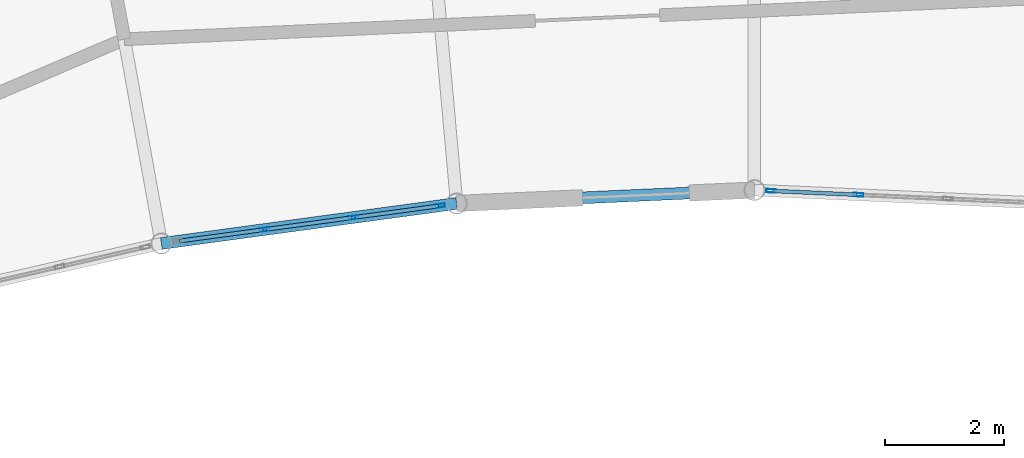
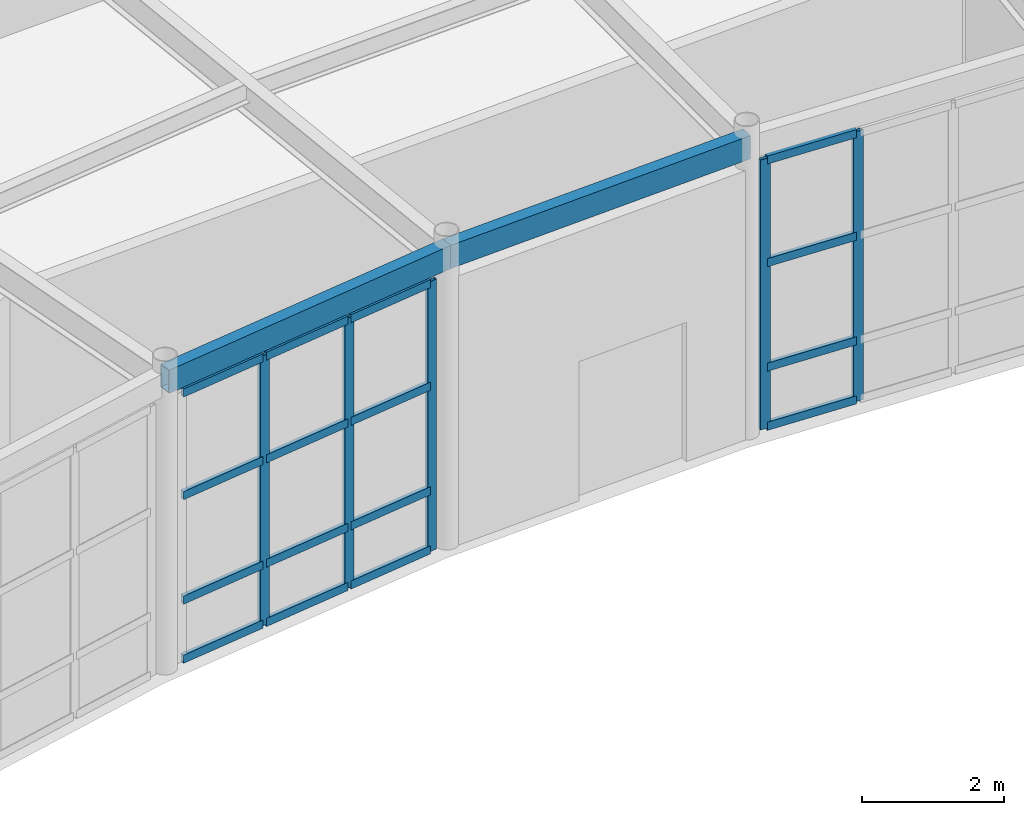
# One storey, part 47 of 87: 21 members, 2 beams, 2 elements without a shape of their own.
"""IFC4 building model written with IfcOpenShell, lengths in metres."""

import ifcopenshell
import ifcopenshell.guid

model = None  # the IFC model being written
_history = None  # IfcOwnerHistory: only IFC2X3 demands one
_inside = {}  # id of a spatial element -> (the spatial element, [elements in it])
_under = {}  # id of a project, library or spatial element -> (it, [spatial elements below it])
_declared = {}  # id of a project -> (the project, [libraries it declares])
_typed = {}  # id of a type object -> (the type object, [elements of that type])
_made_of = {}  # id of a material, layer set ... -> (it, [elements and type objects made of it])


def new_model(schema):
    """Start an empty IFC model of exactly this schema.

    Asked for "IFC4X3", IfcOpenShell would pick the latest addendum, in which some entities
    have other attributes; the version numbers below select the first issue.
    IFC2X3 requires an IfcOwnerHistory on every rooted entity: one is made here for all.
    """
    global model, _history
    if schema == "IFC4X3":
        model = ifcopenshell.file(schema_version=(4, 3, 0, 0))
    else:
        model = ifcopenshell.file(schema=schema)
    _inside.clear()
    _under.clear()
    _declared.clear()
    _typed.clear()
    _made_of.clear()
    _history = None
    if model.schema == "IFC2X3":
        org = make("IfcOrganization", Name="unknown")
        user = make(
            "IfcPersonAndOrganization",
            ThePerson=make("IfcPerson", FamilyName="unknown"),
            TheOrganization=org,
        )
        app = make(
            "IfcApplication",
            ApplicationDeveloper=org,
            Version="unknown",
            ApplicationFullName="unknown",
            ApplicationIdentifier="unknown",
        )
        _history = make(
            "IfcOwnerHistory",
            OwningUser=user,
            OwningApplication=app,
            ChangeAction="ADDED",
            CreationDate=0,
        )
    return model


def make(cls, **values):
    """One entity of the class cls with the attributes given. An attribute that is None is left unset."""
    return model.create_entity(
        cls, **{name: value for name, value in values.items() if value is not None}
    )


def rooted(cls, **values):
    """An entity with a GlobalId (a new one), such as an element, a storey or a relation."""
    return make(cls, GlobalId=ifcopenshell.guid.new(), OwnerHistory=_history, **values)


def si_unit(unit_type, name, prefix=None):
    """IfcSIUnit, for example si_unit("LENGTHUNIT", "METRE", prefix="MILLI")."""
    return make("IfcSIUnit", UnitType=unit_type, Prefix=prefix, Name=name)


def assignment(units):
    """IfcUnitAssignment: the units of a project."""
    return None if units is None else make("IfcUnitAssignment", Units=units)


def point(xyz):
    """IfcCartesianPoint."""
    return None if xyz is None else make("IfcCartesianPoint", Coordinates=xyz)


def direction(xyz):
    """IfcDirection."""
    return None if xyz is None else make("IfcDirection", DirectionRatios=xyz)


def frame(location, z_axis=None, x_axis=None):
    """IfcAxis2Placement3D, a coordinate frame: its origin and axes. An axis left out is left unset."""
    return make(
        "IfcAxis2Placement3D",
        Location=point(location),
        Axis=direction(z_axis),
        RefDirection=direction(x_axis),
    )


def frame_2d(location, x_axis=None):
    """IfcAxis2Placement2D, a coordinate frame in the plane: its origin and x axis."""
    return make(
        "IfcAxis2Placement2D", Location=point(location), RefDirection=direction(x_axis)
    )


def origin():
    """The frame at (0, 0, 0) with its axes left unset."""
    return frame((0.0, 0.0, 0.0))


def origin_2d():
    """The frame at (0, 0) in the plane with its x axis left unset."""
    return frame_2d((0.0, 0.0))


def place(relative_to, where):
    """IfcLocalPlacement: puts the frame where relative to a parent placement (None: the world)."""
    return make(
        "IfcLocalPlacement", PlacementRelTo=relative_to, RelativePlacement=where
    )


def context(
    kind, dimensions, precision=None, world=None, true_north=None, identifier=None
):
    """IfcGeometricRepresentationContext, for example the 3D "Model" context."""
    return make(
        "IfcGeometricRepresentationContext",
        ContextIdentifier=identifier,
        ContextType=kind,
        CoordinateSpaceDimension=dimensions,
        Precision=precision,
        WorldCoordinateSystem=world,
        TrueNorth=true_north,
    )


def subcontext(parent, identifier, kind, view, scale=None):
    """IfcGeometricRepresentationSubContext, for example "Body" below "Model"."""
    return make(
        "IfcGeometricRepresentationSubContext",
        ContextIdentifier=identifier,
        ContextType=kind,
        ParentContext=parent,
        TargetScale=scale,
        TargetView=view,
    )


def project(units=None, contexts=None):
    """IfcProject with its units and contexts."""
    return rooted(
        "IfcProject",
        Name="project",
        RepresentationContexts=contexts,
        UnitsInContext=assignment(units),
    )


def spatial(cls, under=None, at=None, **own):
    """A site, building, storey or space (cls), placed at a placement, below another one or the project."""
    s = rooted(cls, ObjectPlacement=at, **own)
    if under is not None:
        _under.setdefault(under.id(), (under, []))[1].append(s)
    return s


def profile(cls, at=None, kind="AREA", **sizes):
    """A parametric profile (cls). Its sizes go by their IFC names, for example OverallWidth=200.0."""
    return make(cls, ProfileType=kind, Position=at, **sizes)


def hollow_rectangle(**sizes):
    """IfcRectangleHollowProfileDef."""
    return profile("IfcRectangleHollowProfileDef", **sizes)


def extrude(swept, where, along, depth):
    """IfcExtrudedAreaSolid: the profile swept, set in the frame where, extruded along a direction by depth."""
    return make(
        "IfcExtrudedAreaSolid",
        SweptArea=swept,
        Position=where,
        ExtrudedDirection=direction(along),
        Depth=depth,
    )


def shape(context_of_items, identifier, shape_type, items):
    """IfcShapeRepresentation: the items that make up one representation, for example the "Body"."""
    return make(
        "IfcShapeRepresentation",
        ContextOfItems=context_of_items,
        RepresentationIdentifier=identifier,
        RepresentationType=shape_type,
        Items=items,
    )


def material(Name=None, Category=None):
    """IfcMaterial."""
    return make("IfcMaterial", Name=Name, Category=Category)


def layer(
    of_material, thickness, ventilated=None, Name=None, Category=None, Priority=None
):
    """IfcMaterialLayer: one layer of a wall or slab, of a material (None: an air gap)."""
    return make(
        "IfcMaterialLayer",
        Material=of_material,
        LayerThickness=thickness,
        IsVentilated=ventilated,
        Name=Name,
        Category=Category,
        Priority=Priority,
    )


def layer_set(layers, Name=None):
    """IfcMaterialLayerSet."""
    return make("IfcMaterialLayerSet", MaterialLayers=layers, LayerSetName=Name)


def material_profile(
    of_material, cross_section, Name=None, Category=None, Priority=None
):
    """IfcMaterialProfile: a cross section and its material."""
    return make(
        "IfcMaterialProfile",
        Name=Name,
        Material=of_material,
        Profile=cross_section,
        Priority=Priority,
        Category=Category,
    )


def profile_set(profiles, Name=None, composite=None):
    """IfcMaterialProfileSet."""
    return make(
        "IfcMaterialProfileSet",
        Name=Name,
        MaterialProfiles=profiles,
        CompositeProfile=composite,
    )


def made_of(thing, what):
    """Note that an element or type object is made of a material, layer set ...; save() writes the relation."""
    if what is not None:
        _made_of.setdefault(what.id(), (what, []))[1].append(thing)
    return thing


def type_object(cls, material=None, **own):
    """A type object (cls), such as IfcWallType, which elements share."""
    return made_of(rooted(cls, **own), material)


def element(
    cls,
    number,
    at=None,
    inside=None,
    cuts=None,
    type_object=None,
    material=None,
    context=None,
    identifier="Body",
    shape_type=None,
    held_by="IfcProductDefinitionShape",
    body=None,
    shapes=None,
    **own,
):
    """One element of the class cls, such as IfcWall. Its Tag is "e" and its number.

    at: its placement. inside: the storey or other place that contains it. cuts: it is an
    opening in that element (IfcRelVoidsElement). A single representation is given by context,
    identifier, shape_type and body (its items); several are given by shapes. held_by: the class
    of the entity that holds the representations. save() writes the other relations.
    """
    e = rooted(cls, Tag="e%d" % number, ObjectPlacement=at, **own)
    if body is not None:
        shapes = [shape(context, identifier, shape_type, body)]
    if shapes is not None:
        e.Representation = make(held_by, Representations=shapes)
    if inside is not None:
        _inside.setdefault(inside.id(), (inside, []))[1].append(e)
    if cuts is not None:
        rooted(
            "IfcRelVoidsElement", RelatingBuildingElement=cuts, RelatedOpeningElement=e
        )
    if type_object is not None:
        _typed.setdefault(type_object.id(), (type_object, []))[1].append(e)
    return made_of(e, material)


def aggregate(whole, parts):
    """IfcRelAggregates: a whole, such as a stair, and the parts it consists of."""
    return rooted("IfcRelAggregates", RelatingObject=whole, RelatedObjects=parts)


def save(model, path):
    """Write the relations noted so far, then the file.

    IfcRelAggregates (storeys below a building ...), IfcRelContainedInSpatialStructure (elements
    in a storey), IfcRelDefinesByType, IfcRelAssociatesMaterial and IfcRelDeclares: one each for
    every whole, place, type object, material and project.
    """
    for whole, parts in _under.values():
        aggregate(whole, parts)
    for where, things in _inside.values():
        rooted(
            "IfcRelContainedInSpatialStructure",
            RelatedElements=things,
            RelatingStructure=where,
        )
    for kind, things in _typed.values():
        rooted("IfcRelDefinesByType", RelatedObjects=things, RelatingType=kind)
    for what, things in _made_of.values():
        rooted("IfcRelAssociatesMaterial", RelatedObjects=things, RelatingMaterial=what)
    for by, libraries in _declared.values():
        rooted("IfcRelDeclares", RelatingContext=by, RelatedDefinitions=libraries)
    model.write(path)


model = new_model("IFC4")

# Units and contexts
model_context = context("Model", 3, precision=1e-05, world=origin(), true_north=direction((0.0, 1.0)))
body_context = subcontext(model_context, "Body", "Model", "MODEL_VIEW")
ifc_project = project(units=[si_unit("LENGTHUNIT", "METRE"), si_unit("AREAUNIT", "SQUARE_METRE"), si_unit("VOLUMEUNIT", "CUBIC_METRE"), si_unit("PLANEANGLEUNIT", "RADIAN"), si_unit("MASSUNIT", "GRAM", prefix="KILO")], contexts=[model_context])

# Site, building, storey
site_placement = place(None, origin())
site = spatial("IfcSite", under=ifc_project, at=site_placement, CompositionType="ELEMENT")
building_placement = place(site_placement, origin())
building = spatial("IfcBuilding", under=site, at=building_placement, Name="Selat Folded Stagehouse", CompositionType="ELEMENT")
storey_placement = place(building_placement, origin())
storey = spatial("IfcBuildingStorey", under=building, at=storey_placement, Name="L00", CompositionType="ELEMENT", Elevation=0.0)

# Curtain wall, members
ifc_material_1 = material(Name="Aluminium 6063-T6", Category="aluminium")
ifc_layer = layer(ifc_material_1, 0.18994140625)
ifc_layer_set = layer_set([ifc_layer], Name="Aluminium 6063-T6")
curtain_wall_type = type_object("IfcCurtainWallType", Name="CW-REH-ARC", PredefinedType="NOTDEFINED", material=ifc_layer_set)
curtain_wall_1_placement = place(storey_placement, origin())
curtain_wall_1 = element("IfcCurtainWall", 1, at=curtain_wall_1_placement, inside=storey, type_object=curtain_wall_type, Name="L00 curtain wall CW-REH-L00-05", PredefinedType="NOTDEFINED")
ifc_material_profile_1 = material_profile(ifc_material_1, hollow_rectangle(XDim=0.06005859375, YDim=0.159912109375, WallThickness=0.00390625, at=origin_2d()), Name="ALU 160x60x4.0")
ifc_profile_set_1 = profile_set([ifc_material_profile_1], Name="Aluminium 6063-T6")
member_type_1 = type_object("IfcMemberType", Name="CWM-MUL-160x60", PredefinedType="MULLION", material=ifc_profile_set_1)
member_1_placement = place(storey_placement, frame((87.102783203125, 93.737060546875, 0.0), z_axis=(0.0, 0.0, 1.0), x_axis=(0.134211766018, -0.990952673876, 0.0)))
member_1 = element("IfcMember", 2, at=member_1_placement, type_object=member_type_1, Name="CW-06 mullion 1", PredefinedType="MULLION", context=body_context, shape_type="SweptSolid", body=[
    extrude(hollow_rectangle(XDim=0.06005859375, YDim=0.159912109375, WallThickness=0.00390625, at=origin_2d()), origin(), (0.0, 0.0, 1.0), 4.64990234375),
])
member_2_placement = place(storey_placement, frame((85.637939453125, 93.53857421875, 0.0), z_axis=(0.0, 0.0, 1.0), x_axis=(0.134211766018, -0.990952673876, 0.0)))
member_2 = element("IfcMember", 3, at=member_2_placement, type_object=member_type_1, Name="CW-06 mullion 2", PredefinedType="MULLION", context=body_context, shape_type="SweptSolid", body=[
    extrude(hollow_rectangle(XDim=0.06005859375, YDim=0.159912109375, WallThickness=0.00390625, at=origin_2d()), origin(), (0.0, 0.0, 1.0), 4.64990234375),
])
member_3_placement = place(storey_placement, frame((84.14306640625, 93.336181640625, 0.0), z_axis=(0.0, 0.0, 1.0), x_axis=(0.134211766018, -0.990952673876, 0.0)))
member_3 = element("IfcMember", 4, at=member_3_placement, type_object=member_type_1, Name="CW-06 mullion 3", PredefinedType="MULLION", context=body_context, shape_type="SweptSolid", body=[
    extrude(hollow_rectangle(XDim=0.06005859375, YDim=0.159912109375, WallThickness=0.00390625, at=origin_2d()), origin(), (0.0, 0.0, 1.0), 4.64990234375),
])

curtain_wall_2_placement = place(storey_placement, origin())
curtain_wall_2 = element("IfcCurtainWall", 5, at=curtain_wall_2_placement, inside=storey, type_object=curtain_wall_type, Name="L00 curtain wall CW-REH-L00-07", PredefinedType="NOTDEFINED")
member_4_placement = place(storey_placement, frame((94.156494140625, 93.921142578125, 0.0), z_axis=(0.0, 0.0, 1.0), x_axis=(-0.044862316478, -0.998993179436, 0.0)))
member_4 = element("IfcMember", 6, at=member_4_placement, type_object=member_type_1, Name="CW-06 mullion 3", PredefinedType="MULLION", context=body_context, shape_type="SweptSolid", body=[
    extrude(hollow_rectangle(XDim=0.06005859375, YDim=0.159912109375, WallThickness=0.00390625, at=origin_2d()), origin(), (0.0, 0.0, 1.0), 4.64990234375),
])
member_5_placement = place(storey_placement, frame((92.6796875, 93.987548828125, 0.0), z_axis=(0.0, 0.0, 1.0), x_axis=(-0.044862316478, -0.998993179436, 0.0)))
member_5 = element("IfcMember", 7, at=member_5_placement, type_object=member_type_1, Name="CW-06 mullion 4", PredefinedType="MULLION", context=body_context, shape_type="SweptSolid", body=[
    extrude(hollow_rectangle(XDim=0.06005859375, YDim=0.159912109375, WallThickness=0.00390625, at=origin_2d()), origin(), (0.0, 0.0, 1.0), 4.64990234375),
])

# Member
ifc_material_profile_2 = material_profile(ifc_material_1, hollow_rectangle(XDim=0.06494140625, YDim=0.139892578125, WallThickness=0.00390625, at=origin_2d()), Name="ALU 140x65x4.0")
ifc_profile_set_2 = profile_set([ifc_material_profile_2], Name="Aluminium 6063-T6")
member_type_2 = type_object("IfcMemberType", Name="CWM-TRN-140x65", PredefinedType="USERDEFINED", material=ifc_profile_set_2)
member_6_placement = place(storey_placement, frame((87.072998046875, 93.73291015625, 0.032470703125), z_axis=(-0.990946066769, -0.134260540573, 0.0), x_axis=(0.134260540573, -0.990946066769, 0.0)))
member_6 = element("IfcMember", 8, at=member_6_placement, type_object=member_type_2, Name="CW-06 transom 1.1", ObjectType="TRANSOM", PredefinedType="USERDEFINED", context=body_context, shape_type="SweptSolid", body=[
    extrude(hollow_rectangle(XDim=0.06494140625, YDim=0.139892578125, WallThickness=0.00390625, at=origin_2d()), origin(), (0.0, 0.0, 1.0), 1.41845703125),
])

member_7_placement = place(storey_placement, frame((87.072998046875, 93.73291015625, 1.050048828125), z_axis=(-0.990946066769, -0.134260540573, 0.0), x_axis=(0.134260540573, -0.990946066769, 0.0)))
member_7 = element("IfcMember", 9, at=member_7_placement, type_object=member_type_2, Name="CW-06 transom 1.2", ObjectType="TRANSOM", PredefinedType="USERDEFINED", context=body_context, shape_type="SweptSolid", body=[
    extrude(hollow_rectangle(XDim=0.06494140625, YDim=0.139892578125, WallThickness=0.00390625, at=origin_2d()), origin(), (0.0, 0.0, 1.0), 1.41845703125),
])

member_8_placement = place(storey_placement, frame((87.072998046875, 93.73291015625, 2.85009765625), z_axis=(-0.990946066769, -0.134260540573, 0.0), x_axis=(0.134260540573, -0.990946066769, 0.0)))
member_8 = element("IfcMember", 10, at=member_8_placement, type_object=member_type_2, Name="CW-06 transom 1.3", ObjectType="TRANSOM", PredefinedType="USERDEFINED", context=body_context, shape_type="SweptSolid", body=[
    extrude(hollow_rectangle(XDim=0.06494140625, YDim=0.139892578125, WallThickness=0.00390625, at=origin_2d()), origin(), (0.0, 0.0, 1.0), 1.41845703125),
])

member_9_placement = place(storey_placement, frame((87.072998046875, 93.73291015625, 4.617431640625), z_axis=(-0.990946066769, -0.134260540573, 0.0), x_axis=(0.134260540573, -0.990946066769, 0.0)))
member_9 = element("IfcMember", 11, at=member_9_placement, type_object=member_type_2, Name="CW-06 transom 1.4", ObjectType="TRANSOM", PredefinedType="USERDEFINED", context=body_context, shape_type="SweptSolid", body=[
    extrude(hollow_rectangle(XDim=0.06494140625, YDim=0.139892578125, WallThickness=0.00390625, at=origin_2d()), origin(), (0.0, 0.0, 1.0), 1.41845703125),
])

member_10_placement = place(storey_placement, frame((85.608154296875, 93.534423828125, 0.032470703125), z_axis=(-0.990957936125, -0.134172906473, 0.0), x_axis=(0.134172906473, -0.990957936125, 0.0)))
member_10 = element("IfcMember", 12, at=member_10_placement, type_object=member_type_2, Name="CW-06 transom 2.1", ObjectType="TRANSOM", PredefinedType="USERDEFINED", context=body_context, shape_type="SweptSolid", body=[
    extrude(hollow_rectangle(XDim=0.06494140625, YDim=0.139892578125, WallThickness=0.00390625, at=origin_2d()), origin(), (0.0, 0.0, 1.0), 1.448486328125),
])

member_11_placement = place(storey_placement, frame((85.608154296875, 93.534423828125, 1.050048828125), z_axis=(-0.990957936125, -0.134172906473, 0.0), x_axis=(0.134172906473, -0.990957936125, 0.0)))
member_11 = element("IfcMember", 13, at=member_11_placement, type_object=member_type_2, Name="CW-06 transom 2.2", ObjectType="TRANSOM", PredefinedType="USERDEFINED", context=body_context, shape_type="SweptSolid", body=[
    extrude(hollow_rectangle(XDim=0.06494140625, YDim=0.139892578125, WallThickness=0.00390625, at=origin_2d()), origin(), (0.0, 0.0, 1.0), 1.448486328125),
])

member_12_placement = place(storey_placement, frame((85.608154296875, 93.534423828125, 2.85009765625), z_axis=(-0.990957936125, -0.134172906473, 0.0), x_axis=(0.134172906473, -0.990957936125, 0.0)))
member_12 = element("IfcMember", 14, at=member_12_placement, type_object=member_type_2, Name="CW-06 transom 2.3", ObjectType="TRANSOM", PredefinedType="USERDEFINED", context=body_context, shape_type="SweptSolid", body=[
    extrude(hollow_rectangle(XDim=0.06494140625, YDim=0.139892578125, WallThickness=0.00390625, at=origin_2d()), origin(), (0.0, 0.0, 1.0), 1.448486328125),
])

member_13_placement = place(storey_placement, frame((85.608154296875, 93.534423828125, 4.617431640625), z_axis=(-0.990957936125, -0.134172906473, 0.0), x_axis=(0.134172906473, -0.990957936125, 0.0)))
member_13 = element("IfcMember", 15, at=member_13_placement, type_object=member_type_2, Name="CW-06 transom 2.4", ObjectType="TRANSOM", PredefinedType="USERDEFINED", context=body_context, shape_type="SweptSolid", body=[
    extrude(hollow_rectangle(XDim=0.06494140625, YDim=0.139892578125, WallThickness=0.00390625, at=origin_2d()), origin(), (0.0, 0.0, 1.0), 1.448486328125),
])

member_14_placement = place(storey_placement, frame((84.113525390625, 93.33203125, 0.032470703125), z_axis=(-0.990968953763, -0.134091508595, 0.0), x_axis=(0.134091508595, -0.990968953763, 0.0)))
member_14 = element("IfcMember", 16, at=member_14_placement, type_object=member_type_2, Name="CW-06 transom 3.1", ObjectType="TRANSOM", PredefinedType="USERDEFINED", context=body_context, shape_type="SweptSolid", body=[
    extrude(hollow_rectangle(XDim=0.06494140625, YDim=0.139892578125, WallThickness=0.00390625, at=origin_2d()), origin(), (0.0, 0.0, 1.0), 1.418212890625),
])

member_15_placement = place(storey_placement, frame((84.113525390625, 93.33203125, 1.050048828125), z_axis=(-0.990968953763, -0.134091508595, 0.0), x_axis=(0.134091508595, -0.990968953763, 0.0)))
member_15 = element("IfcMember", 17, at=member_15_placement, type_object=member_type_2, Name="CW-06 transom 3.2", ObjectType="TRANSOM", PredefinedType="USERDEFINED", context=body_context, shape_type="SweptSolid", body=[
    extrude(hollow_rectangle(XDim=0.06494140625, YDim=0.139892578125, WallThickness=0.00390625, at=origin_2d()), origin(), (0.0, 0.0, 1.0), 1.418212890625),
])

member_16_placement = place(storey_placement, frame((84.113525390625, 93.33203125, 2.85009765625), z_axis=(-0.990968953763, -0.134091508595, 0.0), x_axis=(0.134091508595, -0.990968953763, 0.0)))
member_16 = element("IfcMember", 18, at=member_16_placement, type_object=member_type_2, Name="CW-06 transom 3.3", ObjectType="TRANSOM", PredefinedType="USERDEFINED", context=body_context, shape_type="SweptSolid", body=[
    extrude(hollow_rectangle(XDim=0.06494140625, YDim=0.139892578125, WallThickness=0.00390625, at=origin_2d()), origin(), (0.0, 0.0, 1.0), 1.418212890625),
])

member_17_placement = place(storey_placement, frame((84.113525390625, 93.33203125, 4.617431640625), z_axis=(-0.990968953763, -0.134091508595, 0.0), x_axis=(0.134091508595, -0.990968953763, 0.0)))
member_17 = element("IfcMember", 19, at=member_17_placement, type_object=member_type_2, Name="CW-06 transom 3.4", ObjectType="TRANSOM", PredefinedType="USERDEFINED", context=body_context, shape_type="SweptSolid", body=[
    extrude(hollow_rectangle(XDim=0.06494140625, YDim=0.139892578125, WallThickness=0.00390625, at=origin_2d()), origin(), (0.0, 0.0, 1.0), 1.418212890625),
])

aggregate(curtain_wall_1, [member_1, member_2, member_3, member_6, member_7, member_8, member_9, member_10, member_11, member_12, member_13, member_14, member_15, member_16, member_17])

member_18_placement = place(storey_placement, frame((94.12646484375, 93.92236328125, 0.032470703125), z_axis=(-0.998990078576, 0.044931313202, 0.0), x_axis=(-0.044931313202, -0.998990078576, 0.0)))
member_18 = element("IfcMember", 20, at=member_18_placement, type_object=member_type_2, Name="CW-06 transom 3.1", ObjectType="TRANSOM", PredefinedType="USERDEFINED", context=body_context, shape_type="SweptSolid", body=[
    extrude(hollow_rectangle(XDim=0.06494140625, YDim=0.139892578125, WallThickness=0.00390625, at=origin_2d()), origin(), (0.0, 0.0, 1.0), 1.418212890625),
])

member_19_placement = place(storey_placement, frame((94.12646484375, 93.92236328125, 1.050048828125), z_axis=(-0.998990078576, 0.044931313202, 0.0), x_axis=(-0.044931313202, -0.998990078576, 0.0)))
member_19 = element("IfcMember", 21, at=member_19_placement, type_object=member_type_2, Name="CW-06 transom 3.2", ObjectType="TRANSOM", PredefinedType="USERDEFINED", context=body_context, shape_type="SweptSolid", body=[
    extrude(hollow_rectangle(XDim=0.06494140625, YDim=0.139892578125, WallThickness=0.00390625, at=origin_2d()), origin(), (0.0, 0.0, 1.0), 1.418212890625),
])

member_20_placement = place(storey_placement, frame((94.12646484375, 93.92236328125, 2.85009765625), z_axis=(-0.998990078576, 0.044931313202, 0.0), x_axis=(-0.044931313202, -0.998990078576, 0.0)))
member_20 = element("IfcMember", 22, at=member_20_placement, type_object=member_type_2, Name="CW-06 transom 3.3", ObjectType="TRANSOM", PredefinedType="USERDEFINED", context=body_context, shape_type="SweptSolid", body=[
    extrude(hollow_rectangle(XDim=0.06494140625, YDim=0.139892578125, WallThickness=0.00390625, at=origin_2d()), origin(), (0.0, 0.0, 1.0), 1.418212890625),
])

member_21_placement = place(storey_placement, frame((94.12646484375, 93.92236328125, 4.617431640625), z_axis=(-0.998990078576, 0.044931313202, 0.0), x_axis=(-0.044931313202, -0.998990078576, 0.0)))
member_21 = element("IfcMember", 23, at=member_21_placement, type_object=member_type_2, Name="CW-06 transom 3.4", ObjectType="TRANSOM", PredefinedType="USERDEFINED", context=body_context, shape_type="SweptSolid", body=[
    extrude(hollow_rectangle(XDim=0.06494140625, YDim=0.139892578125, WallThickness=0.00390625, at=origin_2d()), origin(), (0.0, 0.0, 1.0), 1.418212890625),
])

aggregate(curtain_wall_2, [member_4, member_5, member_18, member_19, member_20, member_21])

# Beams
ifc_material_2 = material(Name="Steel S355", Category="steel")
ifc_material_profile_3 = material_profile(ifc_material_2, hollow_rectangle(XDim=0.199951171875, YDim=0.39990234375, WallThickness=0.012451171875, at=origin_2d()), Name="RHS 400x200x12.5")
ifc_profile_set_3 = profile_set([ifc_material_profile_3], Name="Steel S355")
beam_type = type_object("IfcBeamType", Name="SPD-EXT-400x200", PredefinedType="SPANDREL", material=ifc_profile_set_3)
beam_1_placement = place(storey_placement, frame((82.40087890625, 93.10009765625, 4.97998046875), z_axis=(0.9909477611, 0.134248034514, 0.0), x_axis=(-0.134248034514, 0.9909477611, 0.0)))
element("IfcBeam", 24, at=beam_1_placement, inside=storey, type_object=beam_type, Name="L00 inner curved rehearsal spandrel 6", PredefinedType="SPANDREL", context=body_context, shape_type="SweptSolid", body=[
    extrude(hollow_rectangle(XDim=0.199951171875, YDim=0.39990234375, WallThickness=0.012451171875, at=origin_2d()), origin(), (0.0, 0.0, 1.0), 5.024658203125),
])
beam_2_placement = place(storey_placement, frame((87.380126953125, 93.774658203125, 4.97998046875), z_axis=(0.998993927779, 0.044845649304, 0.0), x_axis=(-0.044845649304, 0.998993927779, 0.0)))
element("IfcBeam", 25, at=beam_2_placement, inside=storey, type_object=beam_type, Name="L00 inner curved rehearsal spandrel 7", PredefinedType="SPANDREL", context=body_context, shape_type="SweptSolid", body=[
    extrude(hollow_rectangle(XDim=0.199951171875, YDim=0.39990234375, WallThickness=0.012451171875, at=origin_2d()), origin(), (0.0, 0.0, 1.0), 5.02490234375),
])

save(model, "model.ifc")
